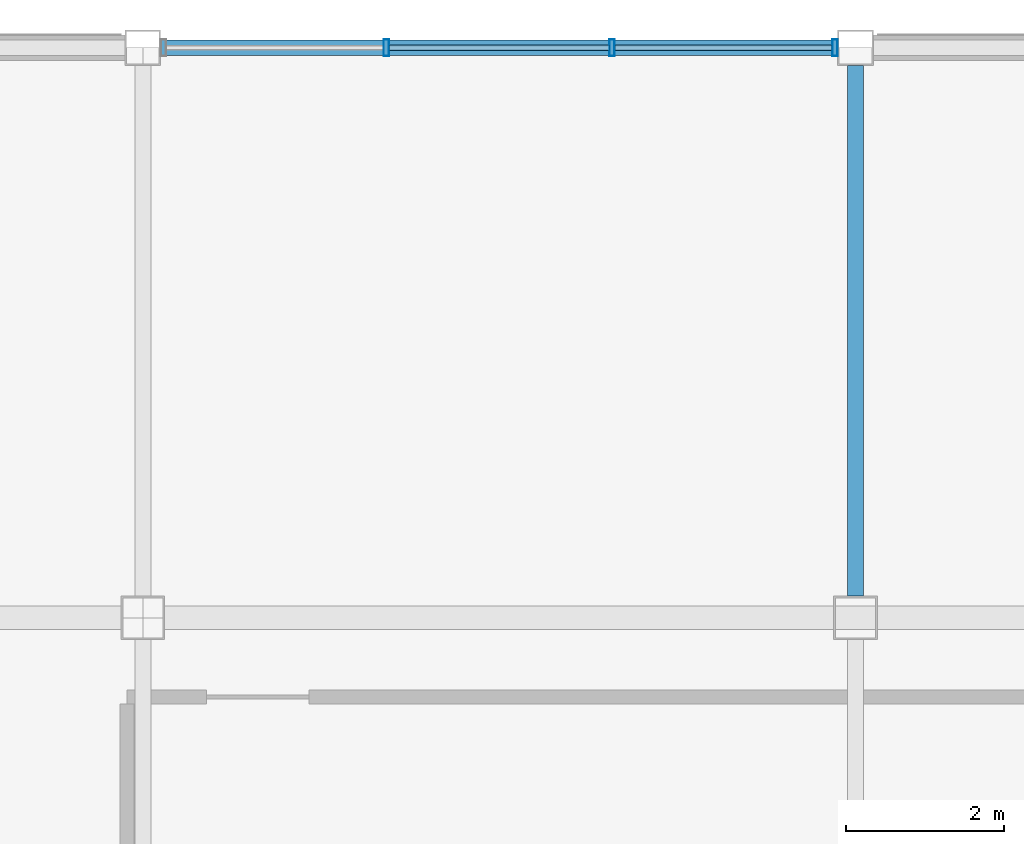
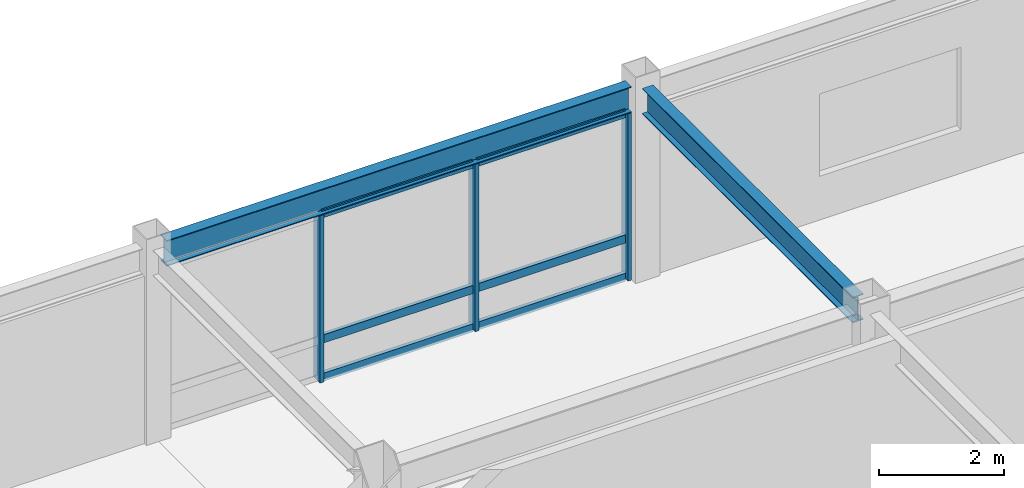
# One storey, part 72 of 122: 9 members, 2 beams, 1 element without a shape of its own.
"""IFC4 building model written with IfcOpenShell, lengths in metres."""

from ifc_helpers import new_model, si_unit, direction, frame, origin, origin_2d, place, context, subcontext, project, spatial, hollow_rectangle, i_section, extrude, material, material_profile, profile_set, type_object, element, aggregate, save


model = new_model("IFC4")

# Units and contexts
model_context = context("Model", 3, precision=1e-05, world=origin(), true_north=direction((0.0, 1.0)))
body_context = subcontext(model_context, "Body", "Model", "MODEL_VIEW")
ifc_project = project(units=[si_unit("LENGTHUNIT", "METRE"), si_unit("AREAUNIT", "SQUARE_METRE"), si_unit("VOLUMEUNIT", "CUBIC_METRE"), si_unit("PLANEANGLEUNIT", "RADIAN"), si_unit("MASSUNIT", "GRAM", prefix="KILO")], contexts=[model_context])

# Site, building, storey
site_placement = place(None, origin())
site = spatial("IfcSite", under=ifc_project, at=site_placement, CompositionType="ELEMENT")
building_placement = place(site_placement, origin())
building = spatial("IfcBuilding", under=site, at=building_placement, Name="Kazanami Central Library", CompositionType="ELEMENT")
storey_placement = place(building_placement, frame((0.0, 0.0, 4.800048828125)))
storey = spatial("IfcBuildingStorey", under=building, at=storey_placement, Name="L02", CompositionType="ELEMENT", Elevation=4.800048828125)

# Beams
ifc_material_1 = material(Name="Steel SN490B (325 MPa)", Category="steel")
ifc_material_profile_1 = material_profile(ifc_material_1, i_section(OverallWidth=0.199951171875, OverallDepth=0.5, WebThickness=0.010009765625, FlangeThickness=0.01611328125, at=origin_2d()), Name="H-500x200x10x16")
ifc_profile_set_1 = profile_set([ifc_material_profile_1], Name="Steel SN490B (325 MPa)")
beam_type_1 = type_object("IfcBeamType", Name="BM-G-Y2", PredefinedType="BEAM", material=ifc_profile_set_1)
beam_1_placement = place(storey_placement, frame((72.0, 86.673095703125, 3.5048828125), z_axis=(0.0, 1.0, 0.0), x_axis=(-1.0, 0.0, 0.0)))
element("IfcBeam", 1, at=beam_1_placement, inside=storey, type_object=beam_type_1, Name="Girder G-Y2 L02 9/N-O", PredefinedType="BEAM", context=body_context, shape_type="SweptSolid", body=[
    extrude(i_section(OverallWidth=0.199951171875, OverallDepth=0.5, WebThickness=0.010009765625, FlangeThickness=0.01611328125, at=origin_2d()), origin(), (0.0, 0.0, 1.0), 6.703857421875),
])
ifc_material_profile_2 = material_profile(ifc_material_1, i_section(OverallWidth=0.199951171875, OverallDepth=0.5, WebThickness=0.010009765625, FlangeThickness=0.01611328125, at=origin_2d()), Name="H-500x200x10x16")
ifc_profile_set_2 = profile_set([ifc_material_profile_2], Name="Steel SN490B (325 MPa)")
beam_type_2 = type_object("IfcBeamType", Name="BM-SP-1", PredefinedType="SPANDREL", material=ifc_profile_set_2)
beam_2_placement = place(storey_placement, frame((63.222900390625, 93.60009765625, 3.5048828125), z_axis=(1.0, 0.0, 0.0), x_axis=(0.0, 1.0, 0.0)))
element("IfcBeam", 2, at=beam_2_placement, inside=storey, type_object=beam_type_2, Name="Girder SP-1 L02 O/8-9", PredefinedType="SPANDREL", context=body_context, shape_type="SweptSolid", body=[
    extrude(i_section(OverallWidth=0.199951171875, OverallDepth=0.5, WebThickness=0.010009765625, FlangeThickness=0.01611328125, at=origin_2d()), origin(), (0.0, 0.0, 1.0), 8.55419921875),
])

# Curtain wall, members
ifc_material_2 = material(Name="Acid-Etched Low-E Laminated Glass", Category="glass")
curtain_wall_type = type_object("IfcCurtainWallType", Name="CW-8550x3255-M275", PredefinedType="USERDEFINED", material=ifc_material_2)
curtain_wall_placement = place(storey_placement, origin())
curtain_wall = element("IfcCurtainWall", 3, at=curtain_wall_placement, inside=storey, type_object=curtain_wall_type, Name="Unitised Curtain Wall CW-19 L02 N-O-07", ObjectType="UNITISED CURTAIN WALL", PredefinedType="USERDEFINED")
ifc_material_3 = material(Name="Anodised Aluminium A6063-T5", Category="aluminium")
ifc_material_profile_3 = material_profile(ifc_material_3, hollow_rectangle(XDim=0.070068359375, YDim=0.2099609375, WallThickness=0.0048828125, at=origin_2d()), Name="ALU-MULL-70x210x5")
ifc_profile_set_3 = profile_set([ifc_material_profile_3], Name="Anodised Aluminium A6063-T5")
member_type_1 = type_object("IfcMemberType", Name="MEM-CW-M1", PredefinedType="MULLION", material=ifc_profile_set_3)
member_1_placement = place(storey_placement, frame((71.739990234375, 93.60009765625, 0.0), z_axis=(0.0, 0.0, 1.0), x_axis=(-1.0, 0.0, 0.0)))
member_1 = element("IfcMember", 4, at=member_1_placement, type_object=member_type_1, Name="CW-19 mullion 1", PredefinedType="MULLION", context=body_context, shape_type="SweptSolid", body=[
    extrude(hollow_rectangle(XDim=0.070068359375, YDim=0.2099609375, WallThickness=0.0048828125, at=origin_2d()), origin(), (0.0, 0.0, 1.0), 3.2548828125),
])
member_2_placement = place(storey_placement, frame((68.925048828125, 93.60009765625, 0.0), z_axis=(0.0, 0.0, 1.0), x_axis=(-1.0, 0.0, 0.0)))
member_2 = element("IfcMember", 5, at=member_2_placement, type_object=member_type_1, Name="CW-19 mullion 2", PredefinedType="MULLION", context=body_context, shape_type="SweptSolid", body=[
    extrude(hollow_rectangle(XDim=0.070068359375, YDim=0.2099609375, WallThickness=0.0048828125, at=origin_2d()), origin(), (0.0, 0.0, 1.0), 3.2548828125),
])
member_3_placement = place(storey_placement, frame((66.074951171875, 93.60009765625, 0.0), z_axis=(0.0, 0.0, 1.0), x_axis=(-1.0, 0.0, 0.0)))
member_3 = element("IfcMember", 6, at=member_3_placement, type_object=member_type_1, Name="CW-19 mullion 3", PredefinedType="MULLION", context=body_context, shape_type="SweptSolid", body=[
    extrude(hollow_rectangle(XDim=0.070068359375, YDim=0.2099609375, WallThickness=0.0048828125, at=origin_2d()), origin(), (0.0, 0.0, 1.0), 3.2548828125),
])
ifc_material_profile_4 = material_profile(ifc_material_3, hollow_rectangle(XDim=0.070068359375, YDim=0.159912109375, WallThickness=0.00390625, at=origin_2d()), Name="ALU-TRAN-70x160x4")
ifc_profile_set_4 = profile_set([ifc_material_profile_4], Name="Anodised Aluminium A6063-T5")
member_type_2 = type_object("IfcMemberType", Name="MEM-CW-T1", PredefinedType="USERDEFINED", material=ifc_profile_set_4)
member_4_placement = place(storey_placement, frame((71.705078125, 93.60009765625, 0.034912109375), z_axis=(-1.0, 0.0, 0.0), x_axis=(0.0, -1.0, 0.0)))
member_4 = element("IfcMember", 7, at=member_4_placement, type_object=member_type_2, Name="CW-19 transom 1.1", ObjectType="TRANSOM", PredefinedType="USERDEFINED", context=body_context, shape_type="SweptSolid", body=[
    extrude(hollow_rectangle(XDim=0.070068359375, YDim=0.159912109375, WallThickness=0.00390625, at=origin_2d()), origin(), (0.0, 0.0, 1.0), 2.7451171875),
])
member_5_placement = place(storey_placement, frame((71.705078125, 93.60009765625, 0.780029296875), z_axis=(-1.0, 0.0, 0.0), x_axis=(0.0, -1.0, 0.0)))
member_5 = element("IfcMember", 8, at=member_5_placement, type_object=member_type_2, Name="CW-19 transom 1.2", ObjectType="TRANSOM", PredefinedType="USERDEFINED", context=body_context, shape_type="SweptSolid", body=[
    extrude(hollow_rectangle(XDim=0.070068359375, YDim=0.159912109375, WallThickness=0.00390625, at=origin_2d()), origin(), (0.0, 0.0, 1.0), 2.7451171875),
])
member_6_placement = place(storey_placement, frame((71.705078125, 93.60009765625, 3.219970703125), z_axis=(-1.0, 0.0, 0.0), x_axis=(0.0, -1.0, 0.0)))
member_6 = element("IfcMember", 9, at=member_6_placement, type_object=member_type_2, Name="CW-19 transom 1.3", ObjectType="TRANSOM", PredefinedType="USERDEFINED", context=body_context, shape_type="SweptSolid", body=[
    extrude(hollow_rectangle(XDim=0.070068359375, YDim=0.159912109375, WallThickness=0.00390625, at=origin_2d()), origin(), (0.0, 0.0, 1.0), 2.7451171875),
])
member_7_placement = place(storey_placement, frame((68.889892578125, 93.60009765625, 0.034912109375), z_axis=(-1.0, 0.0, 0.0), x_axis=(0.0, -1.0, 0.0)))
member_7 = element("IfcMember", 10, at=member_7_placement, type_object=member_type_2, Name="CW-19 transom 2.1", ObjectType="TRANSOM", PredefinedType="USERDEFINED", context=body_context, shape_type="SweptSolid", body=[
    extrude(hollow_rectangle(XDim=0.070068359375, YDim=0.159912109375, WallThickness=0.00390625, at=origin_2d()), origin(), (0.0, 0.0, 1.0), 2.77978515625),
])
member_8_placement = place(storey_placement, frame((68.889892578125, 93.60009765625, 0.780029296875), z_axis=(-1.0, 0.0, 0.0), x_axis=(0.0, -1.0, 0.0)))
member_8 = element("IfcMember", 11, at=member_8_placement, type_object=member_type_2, Name="CW-19 transom 2.2", ObjectType="TRANSOM", PredefinedType="USERDEFINED", context=body_context, shape_type="SweptSolid", body=[
    extrude(hollow_rectangle(XDim=0.070068359375, YDim=0.159912109375, WallThickness=0.00390625, at=origin_2d()), origin(), (0.0, 0.0, 1.0), 2.77978515625),
])
member_9_placement = place(storey_placement, frame((68.889892578125, 93.60009765625, 3.219970703125), z_axis=(-1.0, 0.0, 0.0), x_axis=(0.0, -1.0, 0.0)))
member_9 = element("IfcMember", 12, at=member_9_placement, type_object=member_type_2, Name="CW-19 transom 2.3", ObjectType="TRANSOM", PredefinedType="USERDEFINED", context=body_context, shape_type="SweptSolid", body=[
    extrude(hollow_rectangle(XDim=0.070068359375, YDim=0.159912109375, WallThickness=0.00390625, at=origin_2d()), origin(), (0.0, 0.0, 1.0), 2.77978515625),
])
aggregate(curtain_wall, [member_1, member_2, member_3, member_4, member_5, member_6, member_7, member_8, member_9])

save(model, "model.ifc")
